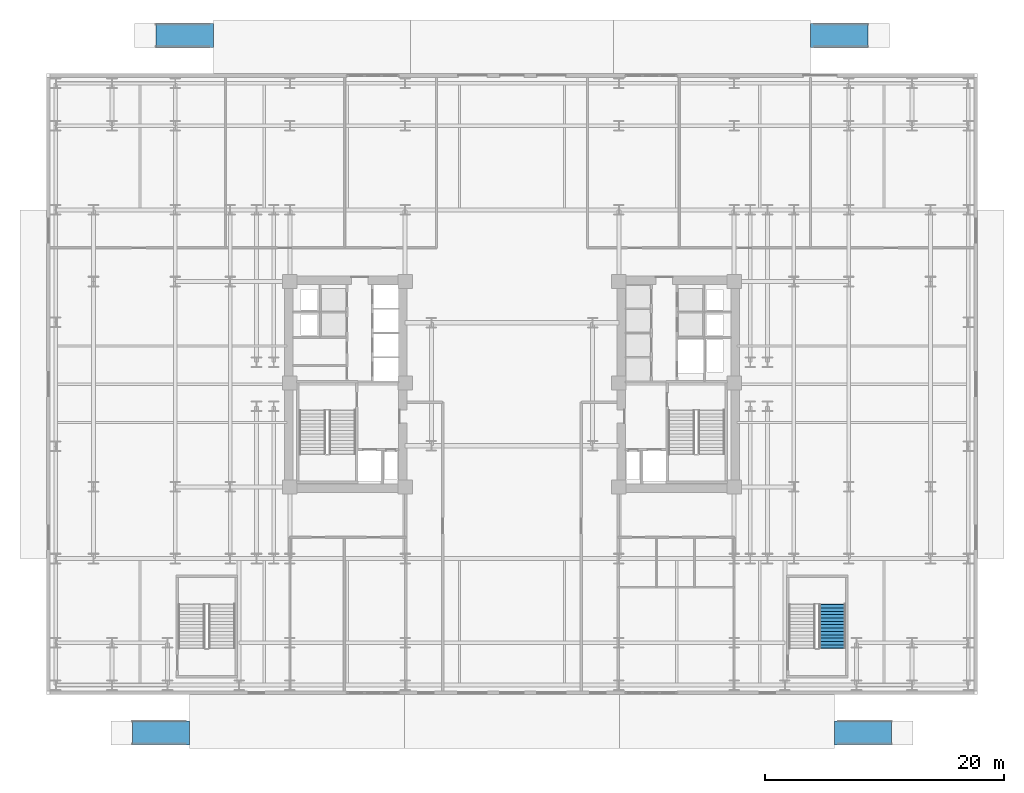
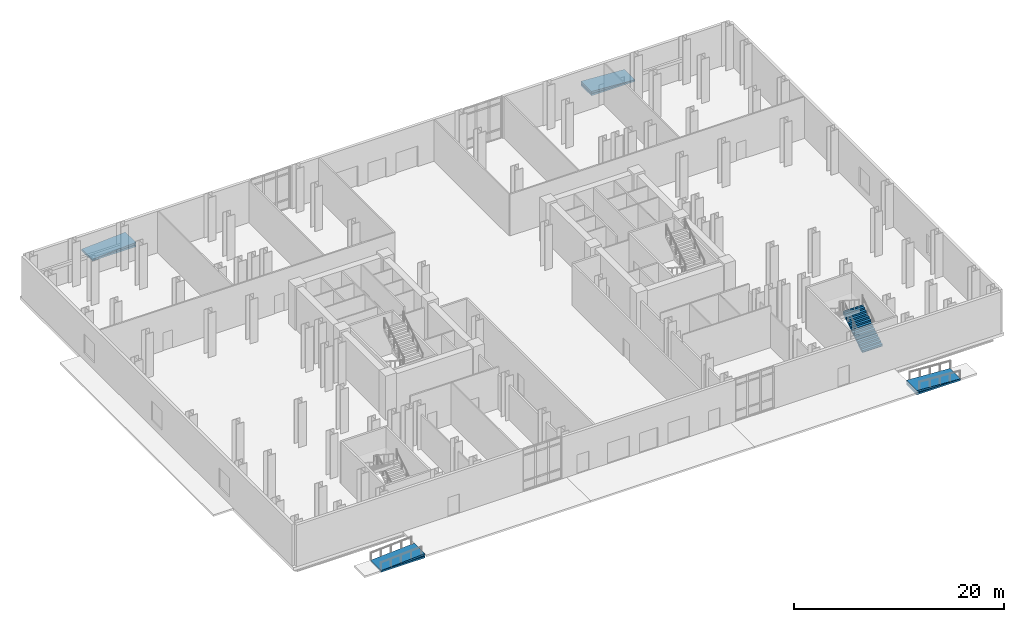
# One storey, part 15 of 21: 4 ramps, 4 ramp flights, 1 stair flight, 1 element without a shape of its own.
"""IFC4 building model written with IfcOpenShell, lengths in metres."""

from ifc_helpers import new_model, si_unit, direction, frame, origin, origin_2d, place, context, subcontext, project, spatial, polyline, rectangle, outline, extrude, material, layer, layer_set, type_object, element, aggregate, save


model = new_model("IFC4")

# Units and contexts
model_context = context("Model", 3, precision=1e-05, world=origin(), true_north=direction((0.0, 1.0)))
body_context = subcontext(model_context, "Body", "Model", "MODEL_VIEW")
ifc_project = project(units=[si_unit("LENGTHUNIT", "METRE"), si_unit("AREAUNIT", "SQUARE_METRE"), si_unit("VOLUMEUNIT", "CUBIC_METRE"), si_unit("PLANEANGLEUNIT", "RADIAN"), si_unit("MASSUNIT", "GRAM", prefix="KILO")], contexts=[model_context])

# Site, building, storey
site_placement = place(None, origin())
site = spatial("IfcSite", under=ifc_project, at=site_placement, CompositionType="ELEMENT")
building_placement = place(site_placement, origin())
building = spatial("IfcBuilding", under=site, at=building_placement, Name="Velakula Bourse", CompositionType="ELEMENT")
storey_placement = place(building_placement, origin())
storey = spatial("IfcBuildingStorey", under=building, at=storey_placement, Name="L00", CompositionType="ELEMENT", Elevation=0.0)

# Stair, stair flight
ifc_material_1 = material(Name="Concrete M45 (fck 45 MPa)", Category="concrete")
stair_type = type_object("IfcStairType", Name="STR-DOG-510", PredefinedType="HALF_TURN_STAIR", material=ifc_material_1)
stair_placement = place(storey_placement, origin())
stair = element("IfcStair", 1, at=stair_placement, inside=storey, type_object=stair_type, Name="L00 East Podium Exit Stair ST-P2", PredefinedType="HALF_TURN_STAIR")
ifc_layer_1 = layer(ifc_material_1, 0.205078125, Name="Concrete M45 (fck 45 MPa)", Category="concrete")
ifc_layer_set_1 = layer_set([ifc_layer_1], Name="Concrete M45 (fck 45 MPa)")
stair_flight_type = type_object("IfcStairFlightType", Name="FLT-DOG-510", PredefinedType="STRAIGHT", material=ifc_layer_set_1)
stair_flight_placement = place(storey_placement, frame((26.821044921875, -22.10009765625, 0.0), z_axis=(0.0, 0.0, 1.0), x_axis=(0.0, 1.0, 0.0)))
stair_flight = element("IfcStairFlight", 2, at=stair_flight_placement, type_object=stair_flight_type, Name="ST-P2 flight 1", NumberOfRisers=14, NumberOfTreads=13, PredefinedType="STRAIGHT", RiserHeight=0.182142857, TreadLength=0.28, context=body_context, shape_type="SweptSolid", body=[
    extrude(outline(polyline([(-0.044921875, -0.0400390625), (-0.044921875, -0.036865234375), (-0.044921875, -0.033935546875), (-0.044921875, -0.03076171875), (-0.044921875, -0.027587890625), (-0.044921875, -0.024658203125), (-0.044921875, -0.021484375), (-0.044921875, -0.0185546875), (-0.044921875, -0.015380859375), (-0.044921875, -0.01220703125), (-0.044921875, -0.00927734375), (-0.044921875, -0.006103515625), (-0.044921875, -0.003173828125), (-0.044921875, 0.0), (0.0, 0.0), (0.0, 0.18212890625), (0.280029296875, 0.18212890625), (0.280029296875, 0.3642578125), (0.56005859375, 0.3642578125), (0.56005859375, 0.54638671875), (0.840087890625, 0.54638671875), (0.840087890625, 0.728515625), (1.1201171875, 0.728515625), (1.1201171875, 0.91064453125), (1.39990234375, 0.91064453125), (1.39990234375, 1.0927734375), (1.679931640625, 1.0927734375), (1.679931640625, 1.27490234375), (1.9599609375, 1.27490234375), (1.9599609375, 1.45703125), (2.239990234375, 1.45703125), (2.239990234375, 1.639404296875), (2.52001953125, 1.639404296875), (2.52001953125, 1.821533203125), (2.800048828125, 1.821533203125), (2.800048828125, 2.003662109375), (3.080078125, 2.003662109375), (3.080078125, 2.185791015625), (3.360107421875, 2.185791015625), (3.360107421875, 2.367919921875), (3.639892578125, 2.367919921875), (3.639892578125, 2.550048828125), (3.68505859375, 2.550048828125), (3.68505859375, 2.524169921875), (3.68505859375, 2.49853515625), (3.68505859375, 2.47265625), (3.68505859375, 2.44677734375), (3.68505859375, 2.421142578125), (3.68505859375, 2.395263671875), (3.68505859375, 2.36962890625), (3.68505859375, 2.34375), (3.68505859375, 2.31787109375), (3.68505859375, 2.292236328125), (3.68505859375, 2.266357421875), (3.68505859375, 2.240478515625), (3.68505859375, 2.21484375), (3.68505859375, 2.18896484375), (0.27490234375, -0.0400390625), (-0.044921875, -0.0400390625)])), frame((0.0, 1.09912109375, 0.0), z_axis=(0.0, -1.0, 0.0), x_axis=(1.0, 0.0, 0.0)), (0.0, 0.0, 1.0), 2.197998046875),
])
aggregate(stair, [stair_flight])

# Ramp flight
ifc_material_2 = material(Name="Concrete M40 (fck 40 MPa)", Category="concrete")
ifc_layer_2 = layer(ifc_material_2, 0.199951171875, Name="Concrete M40 (fck 40 MPa)", Category="concrete")
ifc_layer_set_2 = layer_set([ifc_layer_2], Name="Concrete M40 (fck 40 MPa)")
ramp_flight_type = type_object("IfcRampFlightType", Name="RFL-PED-1800", PredefinedType="STRAIGHT", material=ifc_layer_set_2)
ramp_flight_1_placement = place(storey_placement, frame((-31.800048828125, -30.199951171875, -0.300048828125), z_axis=(-0.062387767186, 0.0, 0.998051985873), x_axis=(0.998051985873, 0.0, 0.062387767186)))
ramp_flight_1 = element("IfcRampFlight", 3, at=ramp_flight_1_placement, type_object=ramp_flight_type, Name="South-West Station Flood-Threshold Ramp Flight 1", PredefinedType="STRAIGHT", context=body_context, shape_type="SweptSolid", body=[
    extrude(outline(polyline([(0.0, 0.0), (4.809417641632236, 0.0), (4.809417641632236, 2.0), (0.0, 2.0), (0.0, 0.0)])), origin(), (0.0, 0.0, -1.0), 0.199951171875),
])

ramp_flight_2_placement = place(storey_placement, frame((27.0, -30.199951171875, 0.0), z_axis=(0.062387767186, 0.0, 0.998051985873), x_axis=(0.998051985873, 0.0, -0.062387767186)))
ramp_flight_2 = element("IfcRampFlight", 4, at=ramp_flight_2_placement, type_object=ramp_flight_type, Name="South-East Station Flood-Threshold Ramp Flight 1", PredefinedType="STRAIGHT", context=body_context, shape_type="SweptSolid", body=[
    extrude(outline(polyline([(0.0, 0.0), (4.809417641632236, 0.0), (4.809417641632236, 2.0), (0.0, 2.0), (0.0, 0.0)])), origin(), (0.0, 0.0, -1.0), 0.199951171875),
])

ramp_flight_3_placement = place(storey_placement, frame((-29.800048828125, 28.199951171875, -0.300048828125), z_axis=(-0.062387767186, 0.0, 0.998051985873), x_axis=(0.998051985873, 0.0, 0.062387767186)))
ramp_flight_3 = element("IfcRampFlight", 5, at=ramp_flight_3_placement, type_object=ramp_flight_type, Name="North-West Station Flood-Threshold Ramp Flight 1", PredefinedType="STRAIGHT", context=body_context, shape_type="SweptSolid", body=[
    extrude(outline(polyline([(0.0, 0.0), (4.809417641632236, 0.0), (4.809417641632236, 2.0), (0.0, 2.0), (0.0, 0.0)])), origin(), (0.0, 0.0, -1.0), 0.199951171875),
])

ramp_flight_4_placement = place(storey_placement, frame((25.0, 28.199951171875, 0.0), z_axis=(0.062387767186, 0.0, 0.998051985873), x_axis=(0.998051985873, 0.0, -0.062387767186)))
ramp_flight_4 = element("IfcRampFlight", 6, at=ramp_flight_4_placement, type_object=ramp_flight_type, Name="North-East Station Flood-Threshold Ramp Flight 1", PredefinedType="STRAIGHT", context=body_context, shape_type="SweptSolid", body=[
    extrude(outline(polyline([(0.0, 0.0), (4.809417641632236, 0.0), (4.809417641632236, 2.0), (0.0, 2.0), (0.0, 0.0)])), origin(), (0.0, 0.0, -1.0), 0.199951171875),
])

# Ramp
ramp_type = type_object("IfcRampType", Name="RMP-PED-1800", PredefinedType="STRAIGHT_RUN_RAMP", material=ifc_material_2)
ramp_1_placement = place(storey_placement, frame((-29.39990234375, -29.199951171875, -0.5), z_axis=(0.0, 0.0, 1.0), x_axis=(1.0, 0.0, 0.0)))
ramp_1 = element("IfcRamp", 7, at=ramp_1_placement, inside=storey, type_object=ramp_type, Name="South-West Station Flood-Threshold Ramp", PredefinedType="STRAIGHT_RUN_RAMP", context=body_context, shape_type="SweptSolid", body=[
    extrude(rectangle(XDim=4.800048828125, YDim=2.0, at=origin_2d()), origin(), (0.0, 0.0, 1.0), 0.199951171875),
])

aggregate(ramp_1, [ramp_flight_1])

ramp_2_placement = place(storey_placement, frame((29.39990234375, -29.199951171875, -0.5), z_axis=(0.0, 0.0, 1.0), x_axis=(1.0, 0.0, 0.0)))
ramp_2 = element("IfcRamp", 8, at=ramp_2_placement, inside=storey, type_object=ramp_type, Name="South-East Station Flood-Threshold Ramp", PredefinedType="STRAIGHT_RUN_RAMP", context=body_context, shape_type="SweptSolid", body=[
    extrude(rectangle(XDim=4.800048828125, YDim=2.0, at=origin_2d()), origin(), (0.0, 0.0, 1.0), 0.199951171875),
])

aggregate(ramp_2, [ramp_flight_2])

ramp_3_placement = place(storey_placement, frame((-27.39990234375, 29.199951171875, -0.5), z_axis=(0.0, 0.0, 1.0), x_axis=(1.0, 0.0, 0.0)))
ramp_3 = element("IfcRamp", 9, at=ramp_3_placement, inside=storey, type_object=ramp_type, Name="North-West Station Flood-Threshold Ramp", PredefinedType="STRAIGHT_RUN_RAMP", context=body_context, shape_type="SweptSolid", body=[
    extrude(rectangle(XDim=4.800048828125, YDim=2.0, at=origin_2d()), origin(), (0.0, 0.0, 1.0), 0.199951171875),
])

aggregate(ramp_3, [ramp_flight_3])

ramp_4_placement = place(storey_placement, frame((27.39990234375, 29.199951171875, -0.5), z_axis=(0.0, 0.0, 1.0), x_axis=(1.0, 0.0, 0.0)))
ramp_4 = element("IfcRamp", 10, at=ramp_4_placement, inside=storey, type_object=ramp_type, Name="North-East Station Flood-Threshold Ramp", PredefinedType="STRAIGHT_RUN_RAMP", context=body_context, shape_type="SweptSolid", body=[
    extrude(rectangle(XDim=4.800048828125, YDim=2.0, at=origin_2d()), origin(), (0.0, 0.0, 1.0), 0.199951171875),
])

aggregate(ramp_4, [ramp_flight_4])

save(model, "model.ifc")
